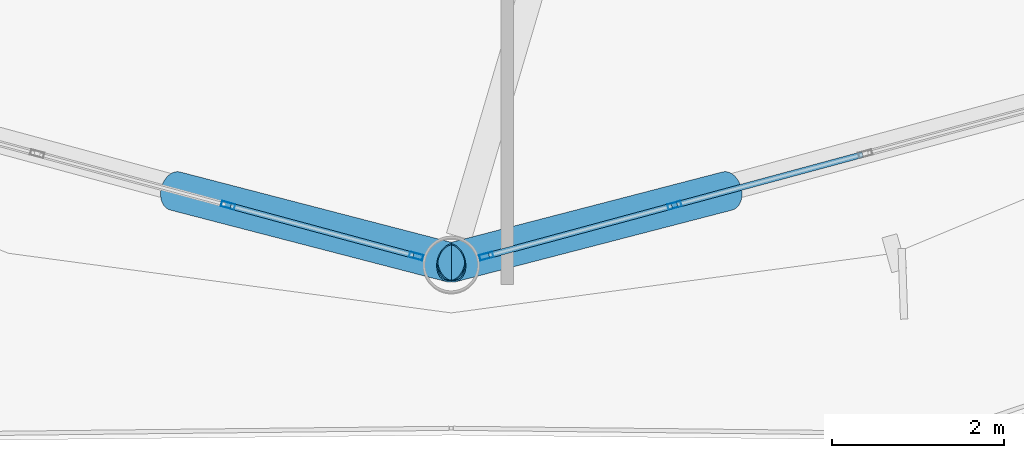
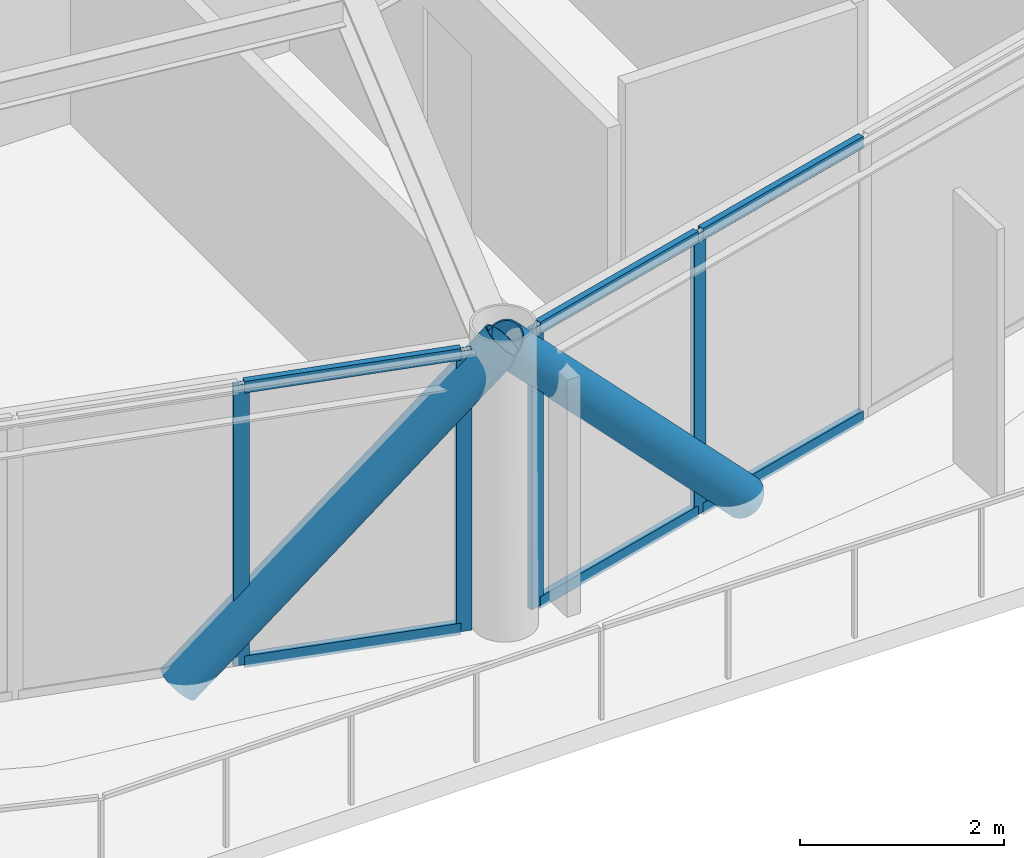
# One storey, part 7 of 28: 12 members, 2 elements without a shape of their own.
"""IFC4 building model written with IfcOpenShell, lengths in metres."""

from ifc_helpers import new_model, si_unit, direction, frame, origin, origin_2d, place, context, subcontext, project, spatial, hollow_rectangle, hollow_circle, extrude, material, layer, layer_set, material_profile, profile_set, type_object, element, aggregate, save


model = new_model("IFC4")

# Units and contexts
model_context = context("Model", 3, precision=1e-05, world=origin(), true_north=direction((0.0, 1.0)))
body_context = subcontext(model_context, "Body", "Model", "MODEL_VIEW")
ifc_project = project(units=[si_unit("LENGTHUNIT", "METRE"), si_unit("AREAUNIT", "SQUARE_METRE"), si_unit("VOLUMEUNIT", "CUBIC_METRE"), si_unit("PLANEANGLEUNIT", "RADIAN"), si_unit("MASSUNIT", "GRAM", prefix="KILO")], contexts=[model_context])

# Site, building, storey
site_placement = place(None, origin())
site = spatial("IfcSite", under=ifc_project, at=site_placement, CompositionType="ELEMENT")
building_placement = place(site_placement, origin())
building = spatial("IfcBuilding", under=site, at=building_placement, Name="Varnakorn Sky Granary", CompositionType="ELEMENT")
storey_placement = place(building_placement, frame((0.0, 0.0, 200.39990234375)))
storey = spatial("IfcBuildingStorey", under=building, at=storey_placement, Name="L50", CompositionType="ELEMENT", Elevation=200.39990234375)

# Curtain wall, members
ifc_material_1 = material(Name="Anodised Bronze Aluminium Alloy 6063-T6", Category="aluminium")
ifc_layer = layer(ifc_material_1, 0.169921875, Name="Anodised Bronze Aluminium Alloy 6063-T6")
ifc_layer_set = layer_set([ifc_layer], Name="Anodised Bronze Aluminium Alloy 6063-T6")
curtain_wall_type = type_object("IfcCurtainWallType", Name="CW-LAB-1", PredefinedType="USERDEFINED", material=ifc_layer_set)
curtain_wall_1_placement = place(storey_placement, origin())
curtain_wall_1 = element("IfcCurtainWall", 1, at=curtain_wall_1_placement, inside=storey, type_object=curtain_wall_type, Name="Unitised Curtain Wall CW5 CW-L50-B09", ObjectType="CURTAIN WALL", PredefinedType="USERDEFINED")
ifc_material_profile_1 = material_profile(ifc_material_1, hollow_rectangle(XDim=0.06494140625, YDim=0.159912109375, WallThickness=0.00341796875, at=origin_2d()), Name="ALU MULL 65x160")
ifc_profile_set_1 = profile_set([ifc_material_profile_1], Name="Anodised Bronze Aluminium Alloy 6063-T6")
member_type_1 = type_object("IfcMemberType", Name="CW-LAB-1-MULL", PredefinedType="MULLION", material=ifc_profile_set_1)
member_1_placement = place(storey_placement, frame((4.442138671875, -18.40283203125, 0.0), z_axis=(0.0, 0.0, 1.0), x_axis=(-0.260643020154, -0.965435246946, 0.0)))
member_1 = element("IfcMember", 2, at=member_1_placement, type_object=member_type_1, Name="CW5 mullion 1", PredefinedType="MULLION", context=body_context, shape_type="SweptSolid", body=[
    extrude(hollow_rectangle(XDim=0.06494140625, YDim=0.159912109375, WallThickness=0.00341796875, at=origin_2d()), origin(), (0.0, 0.0, 1.0), 3.360107421875),
])
member_2_placement = place(storey_placement, frame((2.256591796875, -17.81298828125, 0.0), z_axis=(0.0, 0.0, 1.0), x_axis=(-0.260643020154, -0.965435246946, 0.0)))
member_2 = element("IfcMember", 3, at=member_2_placement, type_object=member_type_1, Name="CW5 mullion 2", PredefinedType="MULLION", context=body_context, shape_type="SweptSolid", body=[
    extrude(hollow_rectangle(XDim=0.06494140625, YDim=0.159912109375, WallThickness=0.00341796875, at=origin_2d()), origin(), (0.0, 0.0, 1.0), 3.360107421875),
])

curtain_wall_2_placement = place(storey_placement, origin())
curtain_wall_2 = element("IfcCurtainWall", 4, at=curtain_wall_2_placement, inside=storey, type_object=curtain_wall_type, Name="Unitised Curtain Wall CW5 CW-L50-B10", ObjectType="CURTAIN WALL", PredefinedType="USERDEFINED")
member_3_placement = place(storey_placement, frame((7.443359375, -17.81298828125, 0.0), z_axis=(0.0, 0.0, 1.0), x_axis=(0.260643020154, -0.965435246946, 0.0)))
member_3 = element("IfcMember", 5, at=member_3_placement, type_object=member_type_1, Name="CW5 mullion 4", PredefinedType="MULLION", context=body_context, shape_type="SweptSolid", body=[
    extrude(hollow_rectangle(XDim=0.06494140625, YDim=0.159912109375, WallThickness=0.00341796875, at=origin_2d()), origin(), (0.0, 0.0, 1.0), 3.360107421875),
])
member_4_placement = place(storey_placement, frame((5.2578125, -18.40283203125, 0.0), z_axis=(0.0, 0.0, 1.0), x_axis=(0.260643020154, -0.965435246946, 0.0)))
member_4 = element("IfcMember", 6, at=member_4_placement, type_object=member_type_1, Name="CW5 mullion 5", PredefinedType="MULLION", context=body_context, shape_type="SweptSolid", body=[
    extrude(hollow_rectangle(XDim=0.06494140625, YDim=0.159912109375, WallThickness=0.00341796875, at=origin_2d()), origin(), (0.0, 0.0, 1.0), 3.360107421875),
])

# Member
ifc_material_profile_2 = material_profile(ifc_material_1, hollow_rectangle(XDim=0.070068359375, YDim=0.139892578125, WallThickness=0.00341796875, at=origin_2d()), Name="ALU TRAN 70x140")
ifc_profile_set_2 = profile_set([ifc_material_profile_2], Name="Anodised Bronze Aluminium Alloy 6063-T6")
member_type_2 = type_object("IfcMemberType", Name="CW-LAB-1-TRAN", PredefinedType="USERDEFINED", material=ifc_profile_set_2)
member_5_placement = place(storey_placement, frame((4.41064453125, -18.39453125, 0.03515625), z_axis=(-0.965411754791, 0.260730020733, 0.0), x_axis=(-0.260730020733, -0.965411754791, 0.0)))
member_5 = element("IfcMember", 7, at=member_5_placement, type_object=member_type_2, Name="CW5 transom 1.1", ObjectType="TRANSOM", PredefinedType="USERDEFINED", context=body_context, shape_type="SweptSolid", body=[
    extrude(hollow_rectangle(XDim=0.070068359375, YDim=0.139892578125, WallThickness=0.00341796875, at=origin_2d()), origin(), (0.0, 0.0, 1.0), 2.198486328125),
])

member_6_placement = place(storey_placement, frame((4.41064453125, -18.39453125, 3.3251953125), z_axis=(-0.965411754791, 0.260730020733, 0.0), x_axis=(-0.260730020733, -0.965411754791, 0.0)))
member_6 = element("IfcMember", 8, at=member_6_placement, type_object=member_type_2, Name="CW5 transom 1.2", ObjectType="TRANSOM", PredefinedType="USERDEFINED", context=body_context, shape_type="SweptSolid", body=[
    extrude(hollow_rectangle(XDim=0.070068359375, YDim=0.139892578125, WallThickness=0.00341796875, at=origin_2d()), origin(), (0.0, 0.0, 1.0), 2.198486328125),
])

aggregate(curtain_wall_1, [member_1, member_2, member_5, member_6])

member_7_placement = place(storey_placement, frame((9.62890625, -17.222900390625, 0.03515625), z_axis=(-0.965434865019, -0.260644434827, 0.0), x_axis=(0.260644434827, -0.965434865019, 0.0)))
member_7 = element("IfcMember", 9, at=member_7_placement, type_object=member_type_2, Name="CW5 transom 3.1", ObjectType="TRANSOM", PredefinedType="USERDEFINED", context=body_context, shape_type="SweptSolid", body=[
    extrude(hollow_rectangle(XDim=0.070068359375, YDim=0.139892578125, WallThickness=0.00341796875, at=origin_2d()), origin(), (0.0, 0.0, 1.0), 2.231201171875),
])

member_8_placement = place(storey_placement, frame((9.62890625, -17.222900390625, 3.3251953125), z_axis=(-0.965434865019, -0.260644434827, 0.0), x_axis=(0.260644434827, -0.965434865019, 0.0)))
member_8 = element("IfcMember", 10, at=member_8_placement, type_object=member_type_2, Name="CW5 transom 3.2", ObjectType="TRANSOM", PredefinedType="USERDEFINED", context=body_context, shape_type="SweptSolid", body=[
    extrude(hollow_rectangle(XDim=0.070068359375, YDim=0.139892578125, WallThickness=0.00341796875, at=origin_2d()), origin(), (0.0, 0.0, 1.0), 2.231201171875),
])

member_9_placement = place(storey_placement, frame((7.412109375, -17.8212890625, 0.03515625), z_axis=(-0.965419302327, -0.26070207267, 0.0), x_axis=(0.26070207267, -0.965419302327, 0.0)))
member_9 = element("IfcMember", 11, at=member_9_placement, type_object=member_type_2, Name="CW5 transom 4.1", ObjectType="TRANSOM", PredefinedType="USERDEFINED", context=body_context, shape_type="SweptSolid", body=[
    extrude(hollow_rectangle(XDim=0.070068359375, YDim=0.139892578125, WallThickness=0.00341796875, at=origin_2d()), origin(), (0.0, 0.0, 1.0), 2.19873046875),
])

member_10_placement = place(storey_placement, frame((7.412109375, -17.8212890625, 3.3251953125), z_axis=(-0.965419302327, -0.26070207267, 0.0), x_axis=(0.26070207267, -0.965419302327, 0.0)))
member_10 = element("IfcMember", 12, at=member_10_placement, type_object=member_type_2, Name="CW5 transom 4.2", ObjectType="TRANSOM", PredefinedType="USERDEFINED", context=body_context, shape_type="SweptSolid", body=[
    extrude(hollow_rectangle(XDim=0.070068359375, YDim=0.139892578125, WallThickness=0.00341796875, at=origin_2d()), origin(), (0.0, 0.0, 1.0), 2.19873046875),
])

aggregate(curtain_wall_2, [member_3, member_4, member_7, member_8, member_9, member_10])

# Members
ifc_material_2 = material(Name="Steel S460M", Category="steel")
ifc_material_profile_3 = material_profile(ifc_material_2, hollow_circle(Radius=0.228515625, WallThickness=0.01611328125, at=origin_2d()), Name="CHS 457x16")
ifc_profile_set_3 = profile_set([ifc_material_profile_3], Name="Steel S460M")
member_type_3 = type_object("IfcMemberType", Name="MB-DIAG-T3", PredefinedType="BRACE", material=ifc_profile_set_3)
for number, where, z_axis, x_axis, name in (
    (13, (1.643310546875, -17.647216796875, -0.1298828125), (0.666414018442, -0.172856685256, 0.725267483337), (0.251074686912, 0.967967717226, 0.0), "Perimeter CHS Diagrid Brace DG09 L50"),
    (14, (8.056884765625, -17.647216796875, -0.1298828125), (-0.666414018442, -0.172856685256, 0.725267483337), (0.251074686912, -0.967967717226, 0.0), "Perimeter CHS Diagrid Brace DG10 L50"),
):
    element("IfcMember", number, at=place(storey_placement, frame(where, z_axis=z_axis, x_axis=x_axis)), inside=storey, type_object=member_type_3, Name=name, PredefinedType="BRACE", context=body_context, shape_type="SweptSolid", body=[
        extrude(hollow_circle(Radius=0.228515625, WallThickness=0.01611328125, at=origin_2d()), origin(), (0.0, 0.0, 1.0), 4.81201171875),
    ])

save(model, "model.ifc")
